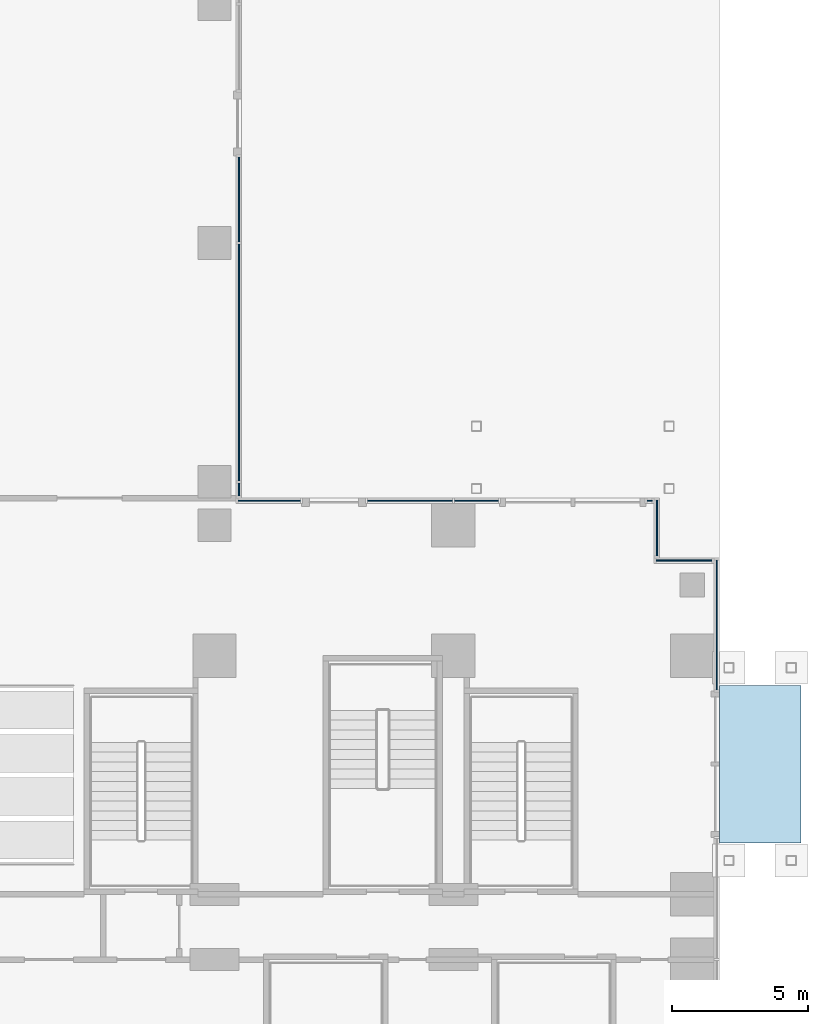
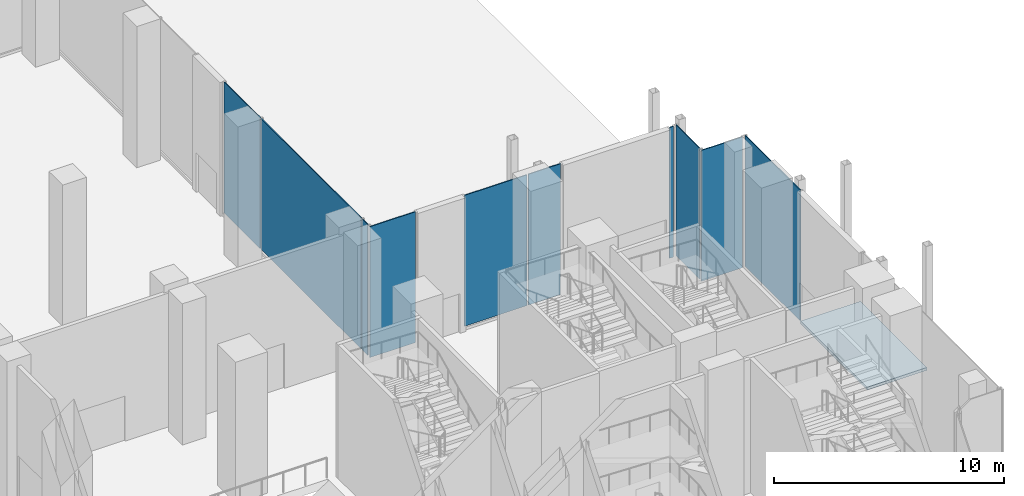
# One storey, part 21 of 41: 10 plates, 1 slab, 7 elements without a shape of their own.
"""IFC4 building model written with IfcOpenShell, lengths in metres."""

import ifcopenshell
import ifcopenshell.guid

model = None  # the IFC model being written
_history = None  # IfcOwnerHistory: only IFC2X3 demands one
_inside = {}  # id of a spatial element -> (the spatial element, [elements in it])
_under = {}  # id of a project, library or spatial element -> (it, [spatial elements below it])
_declared = {}  # id of a project -> (the project, [libraries it declares])
_typed = {}  # id of a type object -> (the type object, [elements of that type])
_made_of = {}  # id of a material, layer set ... -> (it, [elements and type objects made of it])


def new_model(schema):
    """Start an empty IFC model of exactly this schema.

    Asked for "IFC4X3", IfcOpenShell would pick the latest addendum, in which some entities
    have other attributes; the version numbers below select the first issue.
    IFC2X3 requires an IfcOwnerHistory on every rooted entity: one is made here for all.
    """
    global model, _history
    if schema == "IFC4X3":
        model = ifcopenshell.file(schema_version=(4, 3, 0, 0))
    else:
        model = ifcopenshell.file(schema=schema)
    _inside.clear()
    _under.clear()
    _declared.clear()
    _typed.clear()
    _made_of.clear()
    _history = None
    if model.schema == "IFC2X3":
        org = make("IfcOrganization", Name="unknown")
        user = make(
            "IfcPersonAndOrganization",
            ThePerson=make("IfcPerson", FamilyName="unknown"),
            TheOrganization=org,
        )
        app = make(
            "IfcApplication",
            ApplicationDeveloper=org,
            Version="unknown",
            ApplicationFullName="unknown",
            ApplicationIdentifier="unknown",
        )
        _history = make(
            "IfcOwnerHistory",
            OwningUser=user,
            OwningApplication=app,
            ChangeAction="ADDED",
            CreationDate=0,
        )
    return model


def make(cls, **values):
    """One entity of the class cls with the attributes given. An attribute that is None is left unset."""
    return model.create_entity(
        cls, **{name: value for name, value in values.items() if value is not None}
    )


def rooted(cls, **values):
    """An entity with a GlobalId (a new one), such as an element, a storey or a relation."""
    return make(cls, GlobalId=ifcopenshell.guid.new(), OwnerHistory=_history, **values)


def si_unit(unit_type, name, prefix=None):
    """IfcSIUnit, for example si_unit("LENGTHUNIT", "METRE", prefix="MILLI")."""
    return make("IfcSIUnit", UnitType=unit_type, Prefix=prefix, Name=name)


def assignment(units):
    """IfcUnitAssignment: the units of a project."""
    return None if units is None else make("IfcUnitAssignment", Units=units)


def point(xyz):
    """IfcCartesianPoint."""
    return None if xyz is None else make("IfcCartesianPoint", Coordinates=xyz)


def direction(xyz):
    """IfcDirection."""
    return None if xyz is None else make("IfcDirection", DirectionRatios=xyz)


def frame(location, z_axis=None, x_axis=None):
    """IfcAxis2Placement3D, a coordinate frame: its origin and axes. An axis left out is left unset."""
    return make(
        "IfcAxis2Placement3D",
        Location=point(location),
        Axis=direction(z_axis),
        RefDirection=direction(x_axis),
    )


def frame_2d(location, x_axis=None):
    """IfcAxis2Placement2D, a coordinate frame in the plane: its origin and x axis."""
    return make(
        "IfcAxis2Placement2D", Location=point(location), RefDirection=direction(x_axis)
    )


def origin():
    """The frame at (0, 0, 0) with its axes left unset."""
    return frame((0.0, 0.0, 0.0))


def origin_2d():
    """The frame at (0, 0) in the plane with its x axis left unset."""
    return frame_2d((0.0, 0.0))


def place(relative_to, where):
    """IfcLocalPlacement: puts the frame where relative to a parent placement (None: the world)."""
    return make(
        "IfcLocalPlacement", PlacementRelTo=relative_to, RelativePlacement=where
    )


def context(
    kind, dimensions, precision=None, world=None, true_north=None, identifier=None
):
    """IfcGeometricRepresentationContext, for example the 3D "Model" context."""
    return make(
        "IfcGeometricRepresentationContext",
        ContextIdentifier=identifier,
        ContextType=kind,
        CoordinateSpaceDimension=dimensions,
        Precision=precision,
        WorldCoordinateSystem=world,
        TrueNorth=true_north,
    )


def subcontext(parent, identifier, kind, view, scale=None):
    """IfcGeometricRepresentationSubContext, for example "Body" below "Model"."""
    return make(
        "IfcGeometricRepresentationSubContext",
        ContextIdentifier=identifier,
        ContextType=kind,
        ParentContext=parent,
        TargetScale=scale,
        TargetView=view,
    )


def project(units=None, contexts=None):
    """IfcProject with its units and contexts."""
    return rooted(
        "IfcProject",
        Name="project",
        RepresentationContexts=contexts,
        UnitsInContext=assignment(units),
    )


def spatial(cls, under=None, at=None, **own):
    """A site, building, storey or space (cls), placed at a placement, below another one or the project."""
    s = rooted(cls, ObjectPlacement=at, **own)
    if under is not None:
        _under.setdefault(under.id(), (under, []))[1].append(s)
    return s


def polyline(points):
    """IfcPolyline through the points."""
    return make("IfcPolyline", Points=[point(p) for p in points])


def profile(cls, at=None, kind="AREA", **sizes):
    """A parametric profile (cls). Its sizes go by their IFC names, for example OverallWidth=200.0."""
    return make(cls, ProfileType=kind, Position=at, **sizes)


def rectangle(**sizes):
    """IfcRectangleProfileDef."""
    return profile("IfcRectangleProfileDef", **sizes)


def outline(outer, holes=None, kind="AREA"):
    """IfcArbitraryClosedProfileDef: a profile drawn as a closed curve; with holes, ...WithVoids."""
    if holes is None:
        return make("IfcArbitraryClosedProfileDef", ProfileType=kind, OuterCurve=outer)
    return make(
        "IfcArbitraryProfileDefWithVoids",
        ProfileType=kind,
        OuterCurve=outer,
        InnerCurves=holes,
    )


def extrude(swept, where, along, depth):
    """IfcExtrudedAreaSolid: the profile swept, set in the frame where, extruded along a direction by depth."""
    return make(
        "IfcExtrudedAreaSolid",
        SweptArea=swept,
        Position=where,
        ExtrudedDirection=direction(along),
        Depth=depth,
    )


def shape(context_of_items, identifier, shape_type, items):
    """IfcShapeRepresentation: the items that make up one representation, for example the "Body"."""
    return make(
        "IfcShapeRepresentation",
        ContextOfItems=context_of_items,
        RepresentationIdentifier=identifier,
        RepresentationType=shape_type,
        Items=items,
    )


def source(mapping_origin, context_of_items, identifier, shape_type, items):
    """IfcRepresentationMap: a shape defined once, which mapped items show again and again."""
    return make(
        "IfcRepresentationMap",
        MappingOrigin=mapping_origin,
        MappedRepresentation=shape(context_of_items, identifier, shape_type, items),
    )


def transform(
    local_origin,
    x_axis=None,
    y_axis=None,
    z_axis=None,
    scale=None,
    scale2=None,
    scale3=None,
    uniform=True,
):
    """IfcCartesianTransformationOperator3D, or its non-uniform kind. x_axis, y_axis, z_axis: its Axis1, 2, 3."""
    if uniform:
        return make(
            "IfcCartesianTransformationOperator3D",
            Axis1=direction(x_axis),
            Axis2=direction(y_axis),
            LocalOrigin=point(local_origin),
            Scale=scale,
            Axis3=direction(z_axis),
        )
    return make(
        "IfcCartesianTransformationOperator3DnonUniform",
        Axis1=direction(x_axis),
        Axis2=direction(y_axis),
        LocalOrigin=point(local_origin),
        Scale=scale,
        Axis3=direction(z_axis),
        Scale2=scale2,
        Scale3=scale3,
    )


def mapped(mapping_source, mapping_target):
    """IfcMappedItem: shows the shape of a source again, moved by a transform."""
    return make(
        "IfcMappedItem", MappingSource=mapping_source, MappingTarget=mapping_target
    )


def material(Name=None, Category=None):
    """IfcMaterial."""
    return make("IfcMaterial", Name=Name, Category=Category)


def layer(
    of_material, thickness, ventilated=None, Name=None, Category=None, Priority=None
):
    """IfcMaterialLayer: one layer of a wall or slab, of a material (None: an air gap)."""
    return make(
        "IfcMaterialLayer",
        Material=of_material,
        LayerThickness=thickness,
        IsVentilated=ventilated,
        Name=Name,
        Category=Category,
        Priority=Priority,
    )


def layer_set(layers, Name=None):
    """IfcMaterialLayerSet."""
    return make("IfcMaterialLayerSet", MaterialLayers=layers, LayerSetName=Name)


def made_of(thing, what):
    """Note that an element or type object is made of a material, layer set ...; save() writes the relation."""
    if what is not None:
        _made_of.setdefault(what.id(), (what, []))[1].append(thing)
    return thing


def type_object(cls, material=None, **own):
    """A type object (cls), such as IfcWallType, which elements share."""
    return made_of(rooted(cls, **own), material)


def element(
    cls,
    number,
    at=None,
    inside=None,
    cuts=None,
    type_object=None,
    material=None,
    context=None,
    identifier="Body",
    shape_type=None,
    held_by="IfcProductDefinitionShape",
    body=None,
    shapes=None,
    **own,
):
    """One element of the class cls, such as IfcWall. Its Tag is "e" and its number.

    at: its placement. inside: the storey or other place that contains it. cuts: it is an
    opening in that element (IfcRelVoidsElement). A single representation is given by context,
    identifier, shape_type and body (its items); several are given by shapes. held_by: the class
    of the entity that holds the representations. save() writes the other relations.
    """
    e = rooted(cls, Tag="e%d" % number, ObjectPlacement=at, **own)
    if body is not None:
        shapes = [shape(context, identifier, shape_type, body)]
    if shapes is not None:
        e.Representation = make(held_by, Representations=shapes)
    if inside is not None:
        _inside.setdefault(inside.id(), (inside, []))[1].append(e)
    if cuts is not None:
        rooted(
            "IfcRelVoidsElement", RelatingBuildingElement=cuts, RelatedOpeningElement=e
        )
    if type_object is not None:
        _typed.setdefault(type_object.id(), (type_object, []))[1].append(e)
    return made_of(e, material)


def aggregate(whole, parts):
    """IfcRelAggregates: a whole, such as a stair, and the parts it consists of."""
    return rooted("IfcRelAggregates", RelatingObject=whole, RelatedObjects=parts)


def save(model, path):
    """Write the relations noted so far, then the file.

    IfcRelAggregates (storeys below a building ...), IfcRelContainedInSpatialStructure (elements
    in a storey), IfcRelDefinesByType, IfcRelAssociatesMaterial and IfcRelDeclares: one each for
    every whole, place, type object, material and project.
    """
    for whole, parts in _under.values():
        aggregate(whole, parts)
    for where, things in _inside.values():
        rooted(
            "IfcRelContainedInSpatialStructure",
            RelatedElements=things,
            RelatingStructure=where,
        )
    for kind, things in _typed.values():
        rooted("IfcRelDefinesByType", RelatedObjects=things, RelatingType=kind)
    for what, things in _made_of.values():
        rooted("IfcRelAssociatesMaterial", RelatedObjects=things, RelatingMaterial=what)
    for by, libraries in _declared.values():
        rooted("IfcRelDeclares", RelatingContext=by, RelatedDefinitions=libraries)
    model.write(path)


model = new_model("IFC4")

# Units and contexts
model_context = context("Model", 3, precision=1e-05, world=origin(), true_north=direction((0.0, 1.0)))
body_context = subcontext(model_context, "Body", "Model", "MODEL_VIEW")
ifc_project = project(units=[si_unit("LENGTHUNIT", "METRE"), si_unit("AREAUNIT", "SQUARE_METRE"), si_unit("VOLUMEUNIT", "CUBIC_METRE"), si_unit("PLANEANGLEUNIT", "RADIAN"), si_unit("MASSUNIT", "GRAM", prefix="KILO")], contexts=[model_context])

# Site, building, storey
site_placement = place(None, origin())
site = spatial("IfcSite", under=ifc_project, at=site_placement, CompositionType="ELEMENT")
building_placement = place(site_placement, origin())
building = spatial("IfcBuilding", under=site, at=building_placement, Name="Kemantara Hotel Tower", CompositionType="ELEMENT")
storey_placement = place(building_placement, origin())
storey = spatial("IfcBuildingStorey", under=building, at=storey_placement, Name="L00", CompositionType="ELEMENT", Elevation=0.0)

# Slab
ifc_material_1 = material(Name="Granite paving on concrete base (fc 25 MPa)", Category="masonry")
ifc_layer_1 = layer(ifc_material_1, 0.14990234375)
ifc_layer_set_1 = layer_set([ifc_layer_1], Name="Granite paving on concrete base (fc 25 MPa)")
slab_type = type_object("IfcSlabType", Name="PLAZA PAVING 150", PredefinedType="USERDEFINED", material=ifc_layer_set_1)
slab_placement = place(storey_placement, frame((0.0, 0.0, -0.14990234375)))
element("IfcSlab", 1, at=slab_placement, inside=storey, type_object=slab_type, Name="ENTRANCE PAVING STATION-E", ObjectType="PAVING", PredefinedType="USERDEFINED", context=body_context, shape_type="SweptSolid", body=[
    extrude(outline(polyline([(81.199951171875, 19.89990234375), (84.199951171875, 19.89990234375), (84.199951171875, 14.10009765625), (81.199951171875, 14.10009765625), (81.199951171875, 19.89990234375)])), origin(), (0.0, 0.0, 1.0), 0.14990234375),
])

# Curtain wall, plate
ifc_material_2 = material(Name="Laminated tinted insulated glass 44 mm", Category="glass")
curtain_wall_type = type_object("IfcCurtainWallType", Name="PODIUM GLASS CURTAIN WALL", PredefinedType="USERDEFINED", material=ifc_material_2)
curtain_wall_1_placement = place(storey_placement, origin())
curtain_wall_1 = element("IfcCurtainWall", 2, at=curtain_wall_1_placement, inside=storey, type_object=curtain_wall_type, Name="CW1 L00 POD-R07-2", ObjectType="PODIUM GLASS CURTAIN WALL", PredefinedType="USERDEFINED")
ifc_layer_2 = layer(ifc_material_2, 0.0439453125)
ifc_layer_set_2 = layer_set([ifc_layer_2], Name="Laminated tinted insulated glass 44 mm")
plate_type = type_object("IfcPlateType", Name="PODIUM GLASS CURTAIN WALL PANEL", PredefinedType="CURTAIN_PANEL", material=ifc_layer_set_2)
shared_shape_1 = source(origin(), body_context, "Body", "SweptSolid", [
    extrude(rectangle(XDim=1.625, YDim=0.0439453125, at=origin_2d()), origin(), (0.0, 0.0, 1.0), 6.949951171875),
])
plate_1_placement = place(storey_placement, frame((72.25, 26.699951171875, 0.14990234375), z_axis=(0.0, 0.0, 1.0), x_axis=(-1.0, 0.0, 0.0)))
plate_1 = element("IfcPlate", 3, at=plate_1_placement, type_object=plate_type, Name="CW1 glass panel POD-R07-2.1", PredefinedType="CURTAIN_PANEL", context=body_context, shape_type="MappedRepresentation", body=[
    mapped(shared_shape_1, transform((0.0, 0.0, 0.0))),
])

curtain_wall_2_placement = place(storey_placement, origin())
curtain_wall_2 = element("IfcCurtainWall", 4, at=curtain_wall_2_placement, inside=storey, type_object=curtain_wall_type, Name="CW1 L00 POD-R08-1", ObjectType="PODIUM GLASS CURTAIN WALL", PredefinedType="USERDEFINED")
shared_shape_2 = source(origin(), body_context, "Body", "SweptSolid", [
    extrude(rectangle(XDim=8.72509765625, YDim=0.0439453125, at=origin_2d()), origin(), (0.0, 0.0, 1.0), 6.949951171875),
])
plate_2_placement = place(storey_placement, frame((63.5, 31.800048828125, 0.14990234375), z_axis=(0.0, 0.0, 1.0), x_axis=(0.0, 1.0, 0.0)))
plate_2 = element("IfcPlate", 5, at=plate_2_placement, type_object=plate_type, Name="CW1 glass panel POD-R08-1.2", PredefinedType="CURTAIN_PANEL", context=body_context, shape_type="MappedRepresentation", body=[
    mapped(shared_shape_2, transform((0.0, 0.0, 0.0))),
])

curtain_wall_3_placement = place(storey_placement, origin())
curtain_wall_3 = element("IfcCurtainWall", 6, at=curtain_wall_3_placement, inside=storey, type_object=curtain_wall_type, Name="CW1 L00 POD-R04-2", ObjectType="PODIUM GLASS CURTAIN WALL", PredefinedType="USERDEFINED")
shared_shape_3 = source(origin(), body_context, "Body", "SweptSolid", [
    extrude(rectangle(XDim=4.78759765625, YDim=0.0439453125, at=origin_2d()), origin(), (0.0, 0.0, 1.0), 6.949951171875),
])
plate_3_placement = place(storey_placement, frame((81.10009765625, 22.13134765625, 0.14990234375), z_axis=(0.0, 0.0, 1.0), x_axis=(0.0, 1.0, 0.0)))
plate_3 = element("IfcPlate", 7, at=plate_3_placement, type_object=plate_type, Name="CW1 glass panel POD-R04-2.1", PredefinedType="CURTAIN_PANEL", context=body_context, shape_type="MappedRepresentation", body=[
    mapped(shared_shape_3, transform((0.0, 0.0, 0.0))),
])
aggregate(curtain_wall_3, [plate_3])

curtain_wall_4_placement = place(storey_placement, origin())
curtain_wall_4 = element("IfcCurtainWall", 8, at=curtain_wall_4_placement, inside=storey, type_object=curtain_wall_type, Name="CW1 L00 POD-R07-1", ObjectType="PODIUM GLASS CURTAIN WALL", PredefinedType="USERDEFINED")
shared_shape_4 = source(origin(), body_context, "Body", "SweptSolid", [
    extrude(rectangle(XDim=0.1875, YDim=0.0439453125, at=origin_2d()), origin(), (0.0, 0.0, 1.0), 6.949951171875),
])
plate_4_placement = place(storey_placement, frame((78.63134765625, 26.699951171875, 0.14990234375), z_axis=(0.0, 0.0, 1.0), x_axis=(-1.0, 0.0, 0.0)))
plate_4 = element("IfcPlate", 9, at=plate_4_placement, type_object=plate_type, Name="CW1 glass panel POD-R07-1.1", PredefinedType="CURTAIN_PANEL", context=body_context, shape_type="MappedRepresentation", body=[
    mapped(shared_shape_4, transform((0.0, 0.0, 0.0))),
])
aggregate(curtain_wall_4, [plate_4])

# Plate
shared_shape_5 = source(origin(), body_context, "Body", "SweptSolid", [
    extrude(rectangle(XDim=3.125, YDim=0.0439453125, at=origin_2d()), origin(), (0.0, 0.0, 1.0), 6.949951171875),
])
plate_5_placement = place(storey_placement, frame((69.800048828125, 26.699951171875, 0.14990234375), z_axis=(0.0, 0.0, 1.0), x_axis=(-1.0, 0.0, 0.0)))
plate_5 = element("IfcPlate", 10, at=plate_5_placement, type_object=plate_type, Name="CW1 glass panel POD-R07-2.2", PredefinedType="CURTAIN_PANEL", context=body_context, shape_type="MappedRepresentation", body=[
    mapped(shared_shape_5, transform((0.0, 0.0, 0.0))),
])

aggregate(curtain_wall_1, [plate_1, plate_5])

plate_6_placement = place(storey_placement, frame((63.5, 37.800048828125, 0.14990234375), z_axis=(0.0, 0.0, 1.0), x_axis=(0.0, 1.0, 0.0)))
plate_6 = element("IfcPlate", 11, at=plate_6_placement, type_object=plate_type, Name="CW1 glass panel POD-R08-1.3", PredefinedType="CURTAIN_PANEL", context=body_context, shape_type="MappedRepresentation", body=[
    mapped(shared_shape_5, transform((0.0, 0.0, 0.0))),
])

# Curtain wall, plate
curtain_wall_5_placement = place(storey_placement, origin())
curtain_wall_5 = element("IfcCurtainWall", 12, at=curtain_wall_5_placement, inside=storey, type_object=curtain_wall_type, Name="CW1 L00 POD-R07-3", ObjectType="PODIUM GLASS CURTAIN WALL", PredefinedType="USERDEFINED")
shared_shape_6 = source(origin(), body_context, "Body", "SweptSolid", [
    extrude(rectangle(XDim=2.28759765625, YDim=0.0439453125, at=origin_2d()), origin(), (0.0, 0.0, 1.0), 6.949951171875),
])
plate_7_placement = place(storey_placement, frame((64.61865234375, 26.699951171875, 0.14990234375), z_axis=(0.0, 0.0, 1.0), x_axis=(-1.0, 0.0, 0.0)))
plate_7 = element("IfcPlate", 13, at=plate_7_placement, type_object=plate_type, Name="CW1 glass panel POD-R07-3.1", PredefinedType="CURTAIN_PANEL", context=body_context, shape_type="MappedRepresentation", body=[
    mapped(shared_shape_6, transform((0.0, 0.0, 0.0))),
])
aggregate(curtain_wall_5, [plate_7])

# Plate
shared_shape_7 = source(origin(), body_context, "Body", "SweptSolid", [
    extrude(rectangle(XDim=0.487548828125, YDim=0.0439453125, at=origin_2d()), origin(), (0.0, 0.0, 1.0), 6.949951171875),
])
plate_8_placement = place(storey_placement, frame((63.5, 27.11865234375, 0.14990234375), z_axis=(0.0, 0.0, 1.0), x_axis=(0.0, 1.0, 0.0)))
plate_8 = element("IfcPlate", 14, at=plate_8_placement, type_object=plate_type, Name="CW1 glass panel POD-R08-1.1", PredefinedType="CURTAIN_PANEL", context=body_context, shape_type="MappedRepresentation", body=[
    mapped(shared_shape_7, transform((0.0, 0.0, 0.0))),
])

aggregate(curtain_wall_2, [plate_8, plate_2, plate_6])

# Curtain wall, plate
curtain_wall_6_placement = place(storey_placement, origin())
curtain_wall_6 = element("IfcCurtainWall", 15, at=curtain_wall_6_placement, inside=storey, type_object=curtain_wall_type, Name="CW1 L00 POD-R05-1", ObjectType="PODIUM GLASS CURTAIN WALL", PredefinedType="USERDEFINED")
shared_shape_8 = source(origin(), body_context, "Body", "SweptSolid", [
    extrude(rectangle(XDim=2.050048828125, YDim=0.0439453125, at=origin_2d()), origin(), (0.0, 0.0, 1.0), 6.949951171875),
])
plate_9_placement = place(storey_placement, frame((79.89990234375, 24.5, 0.14990234375), z_axis=(0.0, 0.0, 1.0), x_axis=(-1.0, 0.0, 0.0)))
plate_9 = element("IfcPlate", 16, at=plate_9_placement, type_object=plate_type, Name="CW1 glass panel POD-R05-1.1", PredefinedType="CURTAIN_PANEL", context=body_context, shape_type="MappedRepresentation", body=[
    mapped(shared_shape_8, transform((0.0, 0.0, 0.0))),
])
aggregate(curtain_wall_6, [plate_9])

curtain_wall_7_placement = place(storey_placement, origin())
curtain_wall_7 = element("IfcCurtainWall", 17, at=curtain_wall_7_placement, inside=storey, type_object=curtain_wall_type, Name="CW1 L00 POD-R06-1", ObjectType="PODIUM GLASS CURTAIN WALL", PredefinedType="USERDEFINED")
plate_10_placement = place(storey_placement, frame((78.89990234375, 25.699951171875, 0.14990234375), z_axis=(0.0, 0.0, 1.0), x_axis=(0.0, 1.0, 0.0)))
plate_10 = element("IfcPlate", 18, at=plate_10_placement, type_object=plate_type, Name="CW1 glass panel POD-R06-1.1", PredefinedType="CURTAIN_PANEL", context=body_context, shape_type="MappedRepresentation", body=[
    mapped(shared_shape_8, transform((0.0, 0.0, 0.0))),
])
aggregate(curtain_wall_7, [plate_10])

save(model, "model.ifc")
